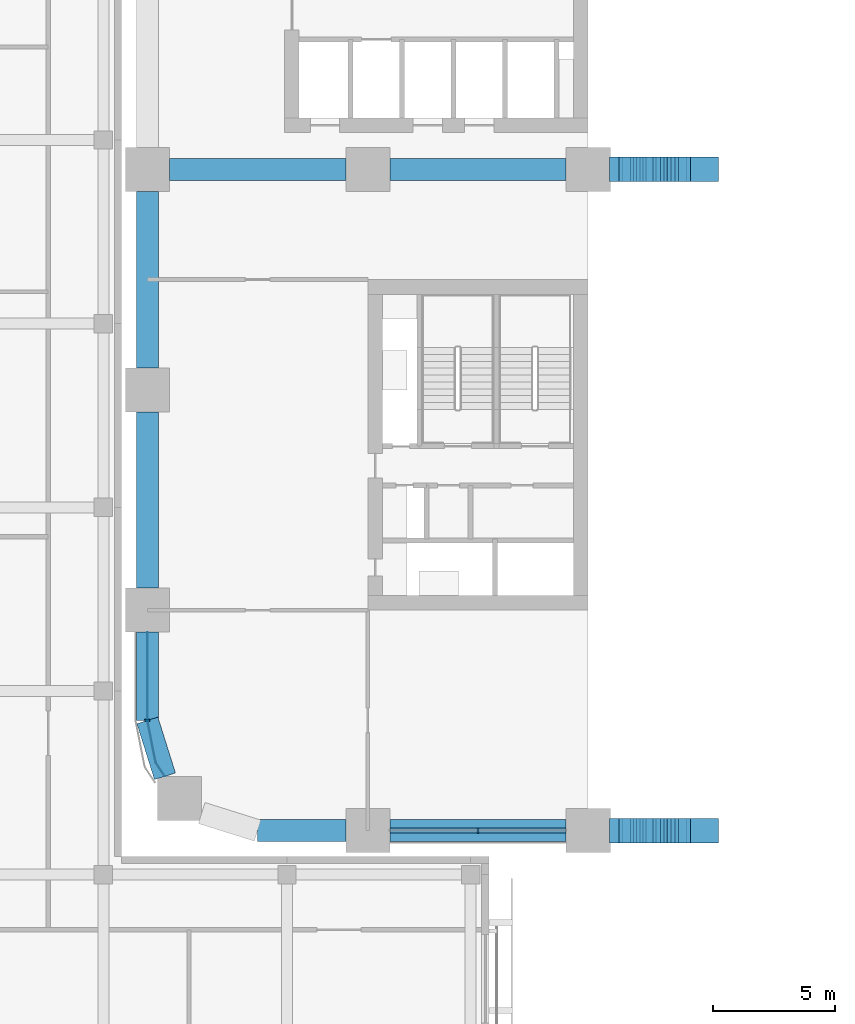
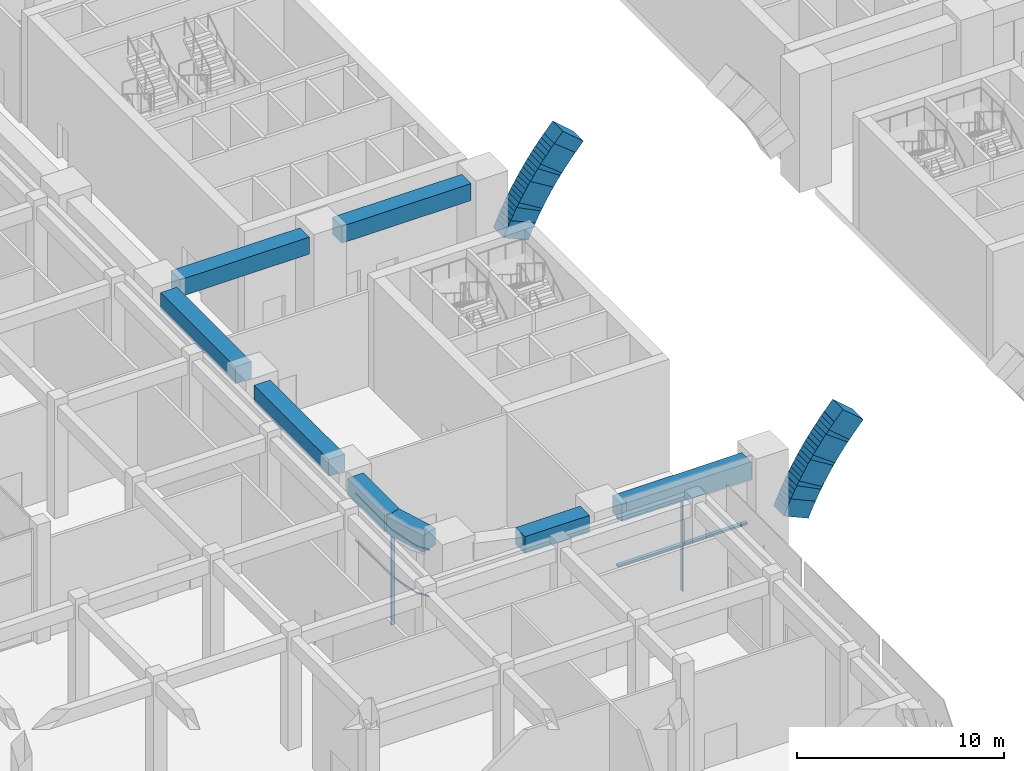
# One storey, part 5 of 42: 22 members, 8 beams, 2 elements without a shape of their own.
"""IFC4 building model written with IfcOpenShell, lengths in metres."""

from ifc_helpers import new_model, si_unit, direction, frame, origin, origin_2d, place, context, subcontext, project, spatial, polyline, rectangle, outline, extrude, material, material_profile, profile_set, type_object, element, aggregate, save


model = new_model("IFC4")

# Units and contexts
model_context = context("Model", 3, precision=1e-05, world=origin(), true_north=direction((0.0, 1.0)))
body_context = subcontext(model_context, "Body", "Model", "MODEL_VIEW")
ifc_project = project(units=[si_unit("LENGTHUNIT", "METRE"), si_unit("AREAUNIT", "SQUARE_METRE"), si_unit("VOLUMEUNIT", "CUBIC_METRE"), si_unit("PLANEANGLEUNIT", "RADIAN"), si_unit("MASSUNIT", "GRAM", prefix="KILO")], contexts=[model_context])

# Site, building, storey
site_placement = place(None, origin())
site = spatial("IfcSite", under=ifc_project, at=site_placement, CompositionType="ELEMENT")
building_placement = place(site_placement, origin())
building = spatial("IfcBuilding", under=site, at=building_placement, Name="Tessera Arch", CompositionType="ELEMENT")
storey_placement = place(building_placement, frame((0.0, 0.0, 14.0)))
storey = spatial("IfcBuildingStorey", under=building, at=storey_placement, Name="L02", CompositionType="ELEMENT", Elevation=14.0)

# Members
ifc_material_1 = material(Name="Concrete C80/95", Category="concrete")
ifc_material_profile_1 = material_profile(ifc_material_1, rectangle(XDim=1.0, YDim=1.5, at=origin_2d()), Name="RC 1000x1500")
ifc_profile_set_1 = profile_set([ifc_material_profile_1], Name="Concrete C80/95")
member_type_1 = type_object("IfcMemberType", Name="Arch rib RC 1000x1500", PredefinedType="MEMBER", material=ifc_profile_set_1)
member_1_placement = place(storey_placement, frame((19.561279296875, 0.0, 2.496826171875), z_axis=(0.407251614669, 0.0, 0.913316003555), x_axis=(0.0, 1.0, 0.0)))
element("IfcMember", 1, at=member_1_placement, inside=storey, type_object=member_type_1, Name="Arch rib A segment 1", PredefinedType="MEMBER", context=body_context, shape_type="SweptSolid", body=[
    extrude(rectangle(XDim=1.0, YDim=1.5, at=origin_2d()), origin(), (0.0, 0.0, 1.0), 0.9560546875),
])
for number, where, z_axis, x_axis, name in (
    (2, (19.737548828125, 0.0, 2.91796875), (0.445350252259, 0.0, 0.895356438974), (0.0, 1.0, 0.0), "Arch rib A segment 2"),
    (3, (20.042724609375, 0.0, 3.554931640625), (0.482563558222, 0.0, 0.875860954876), (0.0, 1.0, 0.0), "Arch rib A segment 3"),
    (4, (20.374267578125, 0.0, 4.1787109375), (0.519221099191, 0.0, 0.854639953522), (0.0, 1.0, 0.0), "Arch rib A segment 4"),
    (5, (20.73193359375, 0.0, 4.787841796875), (0.554840327076, 0.0, 0.831956856724), (0.0, 1.0, 0.0), "Arch rib A segment 5"),
    (6, (21.114990234375, 0.0, 5.38134765625), (0.589422662989, 0.0, 0.807824810436), (0.0, 1.0, 0.0), "Arch rib A segment 6"),
    (7, (21.522705078125, 0.0, 5.958251953125), (0.622841902494, 0.0, 0.782347726077), (0.0, 1.0, 0.0), "Arch rib A segment 7"),
    (8, (21.95458984375, 0.0, 6.517333984375), (0.655231032933, 0.0, 0.755428549554), (0.0, 1.0, 0.0), "Arch rib A segment 8"),
):
    element("IfcMember", number, at=place(storey_placement, frame(where, z_axis=z_axis, x_axis=x_axis)), inside=storey, type_object=member_type_1, Name=name, PredefinedType="MEMBER", context=body_context, shape_type="SweptSolid", body=[
        extrude(rectangle(XDim=1.0, YDim=1.5, at=origin_2d()), origin(), (0.0, 0.0, 1.0), 1.2060546875),
    ])
member_2_placement = place(storey_placement, frame((19.561279296875, 27.0, 2.496826171875), z_axis=(0.407251614669, 0.0, 0.913316003555), x_axis=(0.0, 1.0, 0.0)))
element("IfcMember", 9, at=member_2_placement, inside=storey, type_object=member_type_1, Name="Arch rib B segment 1", PredefinedType="MEMBER", context=body_context, shape_type="SweptSolid", body=[
    extrude(rectangle(XDim=1.0, YDim=1.5, at=origin_2d()), origin(), (0.0, 0.0, 1.0), 0.9560546875),
])
for number, where, z_axis, x_axis, name in (
    (10, (19.737548828125, 27.0, 2.91796875), (0.445350252259, 0.0, 0.895356438974), (0.0, 1.0, 0.0), "Arch rib B segment 2"),
    (11, (20.042724609375, 27.0, 3.554931640625), (0.482563558222, 0.0, 0.875860954876), (0.0, 1.0, 0.0), "Arch rib B segment 3"),
    (12, (20.374267578125, 27.0, 4.1787109375), (0.519221099191, 0.0, 0.854639953522), (0.0, 1.0, 0.0), "Arch rib B segment 4"),
    (13, (20.73193359375, 27.0, 4.787841796875), (0.554840327076, 0.0, 0.831956856724), (0.0, 1.0, 0.0), "Arch rib B segment 5"),
    (14, (21.114990234375, 27.0, 5.38134765625), (0.589422662989, 0.0, 0.807824810436), (0.0, 1.0, 0.0), "Arch rib B segment 6"),
    (15, (21.522705078125, 27.0, 5.958251953125), (0.622841902494, 0.0, 0.782347726077), (0.0, 1.0, 0.0), "Arch rib B segment 7"),
    (16, (21.95458984375, 27.0, 6.517333984375), (0.655231032933, 0.0, 0.755428549554), (0.0, 1.0, 0.0), "Arch rib B segment 8"),
):
    element("IfcMember", number, at=place(storey_placement, frame(where, z_axis=z_axis, x_axis=x_axis)), inside=storey, type_object=member_type_1, Name=name, PredefinedType="MEMBER", context=body_context, shape_type="SweptSolid", body=[
        extrude(rectangle(XDim=1.0, YDim=1.5, at=origin_2d()), origin(), (0.0, 0.0, 1.0), 1.2060546875),
    ])

# Curtain wall, members
ifc_material_2 = material(Name="CW2 curtain wall")
curtain_wall_type_1 = type_object("IfcCurtainWallType", Name="CW2 curtain wall", PredefinedType="NOTDEFINED", material=ifc_material_2)
curtain_wall_1_placement = place(storey_placement, origin())
curtain_wall_1 = element("IfcCurtainWall", 17, at=curtain_wall_1_placement, inside=storey, type_object=curtain_wall_type_1, Name="CW2 curtain wall W0.0/5 L02", PredefinedType="NOTDEFINED")
ifc_material_3 = material(Name="Anodised aluminium pale metal", Category="aluminium")
ifc_material_profile_2 = material_profile(ifc_material_3, rectangle(XDim=0.199951171875, YDim=0.080078125, at=origin_2d()), Name="AL 80x200")
ifc_profile_set_2 = profile_set([ifc_material_profile_2], Name="Anodised aluminium pale metal")
member_type_2 = type_object("IfcMemberType", Name="CW2 mullion", PredefinedType="MULLION", material=ifc_profile_set_2)
member_3_placement = place(storey_placement, frame((0.0, 4.5, 0.0), z_axis=(0.0, 0.0, 1.0), x_axis=(1.0, 0.0, 0.0)))
member_3 = element("IfcMember", 18, at=member_3_placement, type_object=member_type_2, Name="CW2 mullion W0.0/5 1", PredefinedType="MULLION", context=body_context, shape_type="SweptSolid", body=[
    extrude(rectangle(XDim=0.199951171875, YDim=0.080078125, at=origin_2d()), origin(), (0.0, 0.0, 1.0), 5.489990234375),
])
ifc_material_4 = material(Name="Anodised aluminium pale metal", Category="aluminium")
ifc_material_profile_3 = material_profile(ifc_material_4, rectangle(XDim=0.199951171875, YDim=0.10009765625, at=origin_2d()), Name="AL 200x100")
ifc_profile_set_3 = profile_set([ifc_material_profile_3], Name="Anodised aluminium pale metal")
member_type_3 = type_object("IfcMemberType", Name="CW2 transom", PredefinedType="USERDEFINED", material=ifc_profile_set_3)
member_4_placement = place(storey_placement, frame((0.0, 0.0, 2.7451171875)))
member_4 = element("IfcMember", 19, at=member_4_placement, type_object=member_type_3, Name="CW2 transom W0.0/5 1", ObjectType="TRANSOM", PredefinedType="USERDEFINED", context=body_context, shape_type="SweptSolid", body=[
    extrude(outline(polyline([(0.010009765625, 4.5009765625), (0.010009765625, 8.10009765625), (-0.010009765625, 8.10009765625), (-0.010009765625, 4.4990234375), (0.3330078125, 2.77392578125), (0.70849609375, 2.21240234375), (0.72509765625, 2.2236328125), (0.351806640625, 2.78173828125), (0.010009765625, 4.5009765625)])), origin(), (0.0, 0.0, 1.0), 0.099853515625),
])
member_5_placement = place(storey_placement, frame((0.0, 0.0, 5.489990234375)))
member_5 = element("IfcMember", 20, at=member_5_placement, type_object=member_type_3, Name="CW2 transom W0.0/5 2", ObjectType="TRANSOM", PredefinedType="USERDEFINED", context=body_context, shape_type="SweptSolid", body=[
    extrude(outline(polyline([(0.010009765625, 4.5009765625), (0.010009765625, 8.10009765625), (-0.010009765625, 8.10009765625), (-0.010009765625, 4.4990234375), (0.3330078125, 2.77392578125), (0.70849609375, 2.21240234375), (0.72509765625, 2.2236328125), (0.351806640625, 2.78173828125), (0.010009765625, 4.5009765625)])), origin(), (0.0, 0.0, 1.0), 0.10009765625),
])
aggregate(curtain_wall_1, [member_3, member_4, member_5])

ifc_material_5 = material(Name="CW6 curtain wall")
curtain_wall_type_2 = type_object("IfcCurtainWallType", Name="CW6 curtain wall", PredefinedType="NOTDEFINED", material=ifc_material_5)
curtain_wall_2_placement = place(storey_placement, origin())
curtain_wall_2 = element("IfcCurtainWall", 21, at=curtain_wall_2_placement, inside=storey, type_object=curtain_wall_type_2, Name="CW6 curtain wall S0.0/1 L02", PredefinedType="NOTDEFINED")
ifc_material_6 = material(Name="Anodised aluminium pale metal", Category="aluminium")
ifc_material_profile_4 = material_profile(ifc_material_6, rectangle(XDim=0.199951171875, YDim=0.070068359375, at=origin_2d()), Name="AL 70x200")
ifc_profile_set_4 = profile_set([ifc_material_profile_4], Name="Anodised aluminium pale metal")
member_type_4 = type_object("IfcMemberType", Name="CW6 mullion", PredefinedType="MULLION", material=ifc_profile_set_4)
member_6_placement = place(storey_placement, frame((13.5, 0.0, 0.0), z_axis=(0.0, 0.0, 1.0), x_axis=(0.0, 1.0, 0.0)))
member_6 = element("IfcMember", 22, at=member_6_placement, type_object=member_type_4, Name="CW6 mullion S0.0/1 1", PredefinedType="MULLION", context=body_context, shape_type="SweptSolid", body=[
    extrude(rectangle(XDim=0.199951171875, YDim=0.070068359375, at=origin_2d()), origin(), (0.0, 0.0, 1.0), 5.469970703125),
])
ifc_material_7 = material(Name="Anodised aluminium pale metal", Category="aluminium")
ifc_material_profile_5 = material_profile(ifc_material_7, rectangle(XDim=0.199951171875, YDim=0.1201171875, at=origin_2d()), Name="AL 200x120")
ifc_profile_set_5 = profile_set([ifc_material_profile_5], Name="Anodised aluminium pale metal")
member_type_5 = type_object("IfcMemberType", Name="CW6 transom", PredefinedType="USERDEFINED", material=ifc_profile_set_5)
member_7_placement = place(storey_placement, frame((9.89990234375, 0.0, 5.530029296875), z_axis=(1.0, 0.0, 0.0), x_axis=(0.0, 1.0, 0.0)))
member_7 = element("IfcMember", 23, at=member_7_placement, type_object=member_type_5, Name="CW6 transom S0.0/1 1.1", ObjectType="TRANSOM", PredefinedType="USERDEFINED", context=body_context, shape_type="SweptSolid", body=[
    extrude(rectangle(XDim=0.199951171875, YDim=0.1201171875, at=origin_2d()), origin(), (0.0, 0.0, 1.0), 7.2001953125),
])
member_8_placement = place(storey_placement, frame((9.89990234375, 0.0, 2.735107421875), z_axis=(1.0, 0.0, 0.0), x_axis=(0.0, 1.0, 0.0)))
member_8 = element("IfcMember", 24, at=member_8_placement, type_object=member_type_5, Name="CW6 transom S0.0/1 2.1", ObjectType="TRANSOM", PredefinedType="USERDEFINED", context=body_context, shape_type="SweptSolid", body=[
    extrude(rectangle(XDim=0.199951171875, YDim=0.1201171875, at=origin_2d()), origin(), (0.0, 0.0, 1.0), 7.2001953125),
])
aggregate(curtain_wall_2, [member_6, member_7, member_8])

# Beams
ifc_material_8 = material(Name="Concrete C80/95", Category="concrete")
ifc_material_profile_6 = material_profile(ifc_material_8, rectangle(XDim=0.89990234375, YDim=1.0, at=origin_2d()), Name="RC spandrel beam 900 x 1000 Concrete C80/95")
ifc_profile_set_6 = profile_set([ifc_material_profile_6], Name="Concrete C80/95")
beam_type = type_object("IfcBeamType", Name="RC spandrel beam 900 x 1000 Concrete C80/95", PredefinedType="BEAM", material=ifc_profile_set_6)
for number, where, z_axis, x_axis, name in (
    (25, (0.0, 26.10009765625, 6.090087890625), (0.0, -1.0, 0.0), (1.0, 0.0, 0.0), "Spandrel beam L02 W0.0/3"),
    (26, (0.0, 17.10009765625, 6.090087890625), (0.0, -1.0, 0.0), (1.0, 0.0, 0.0), "Spandrel beam L02 W0.0/4"),
):
    element("IfcBeam", number, at=place(storey_placement, frame(where, z_axis=z_axis, x_axis=x_axis)), inside=storey, type_object=beam_type, Name=name, PredefinedType="BEAM", context=body_context, shape_type="SweptSolid", body=[
        extrude(rectangle(XDim=0.89990234375, YDim=1.0, at=origin_2d()), origin(), (0.0, 0.0, 1.0), 7.2001953125),
    ])
beam_1_placement = place(storey_placement, frame((0.0, 8.10009765625, 6.090087890625), z_axis=(0.0, -1.0, 0.0), x_axis=(1.0, 0.0, 0.0)))
element("IfcBeam", 27, at=beam_1_placement, inside=storey, type_object=beam_type, Name="Spandrel beam L02 W0.0/5.1", PredefinedType="BEAM", context=body_context, shape_type="SweptSolid", body=[
    extrude(rectangle(XDim=0.89990234375, YDim=1.0, at=origin_2d()), origin(), (0.0, 0.0, 1.0), 3.60009765625),
])
beam_2_placement = place(storey_placement, frame((0.0, 4.5, 6.090087890625), z_axis=(0.299675309057, -0.954041251279, 0.0), x_axis=(0.954041251279, 0.299675309057, 0.0)))
element("IfcBeam", 28, at=beam_2_placement, inside=storey, type_object=beam_type, Name="Spandrel beam L02 W0.0/5.2", PredefinedType="BEAM", context=body_context, shape_type="SweptSolid", body=[
    extrude(rectangle(XDim=0.89990234375, YDim=1.0, at=origin_2d()), origin(), (0.0, 0.0, 1.0), 2.391845703125),
])
beam_3_placement = place(storey_placement, frame((4.5, 0.0, 6.090087890625), z_axis=(1.0, 0.0, 0.0), x_axis=(0.0, 1.0, 0.0)))
element("IfcBeam", 29, at=beam_3_placement, inside=storey, type_object=beam_type, Name="Spandrel beam L02 S0.0/0.2", PredefinedType="BEAM", context=body_context, shape_type="SweptSolid", body=[
    extrude(rectangle(XDim=0.89990234375, YDim=1.0, at=origin_2d()), origin(), (0.0, 0.0, 1.0), 3.60009765625),
])
for number, where, z_axis, x_axis, name in (
    (30, (9.89990234375, 0.0, 6.090087890625), (1.0, 0.0, 0.0), (0.0, 1.0, 0.0), "Spandrel beam L02 S0.0/1"),
    (31, (0.89990234375, 27.0, 6.090087890625), (1.0, 0.0, 0.0), (0.0, 1.0, 0.0), "Interface beam L02 I1C1D-C2D"),
    (32, (9.89990234375, 27.0, 6.090087890625), (1.0, 0.0, 0.0), (0.0, 1.0, 0.0), "Interface beam L02 I1C2D-C3D"),
):
    element("IfcBeam", number, at=place(storey_placement, frame(where, z_axis=z_axis, x_axis=x_axis)), inside=storey, type_object=beam_type, Name=name, PredefinedType="BEAM", context=body_context, shape_type="SweptSolid", body=[
        extrude(rectangle(XDim=0.89990234375, YDim=1.0, at=origin_2d()), origin(), (0.0, 0.0, 1.0), 7.2001953125),
    ])

save(model, "model.ifc")
